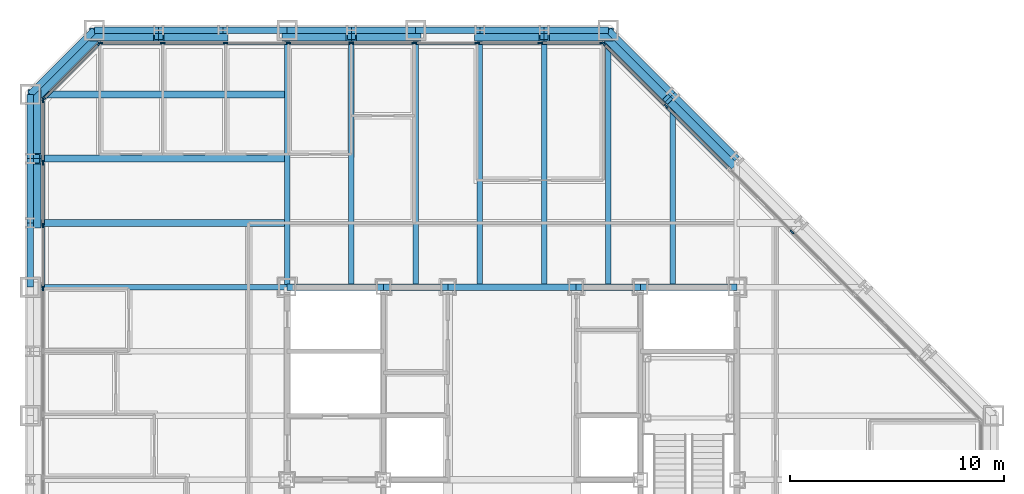
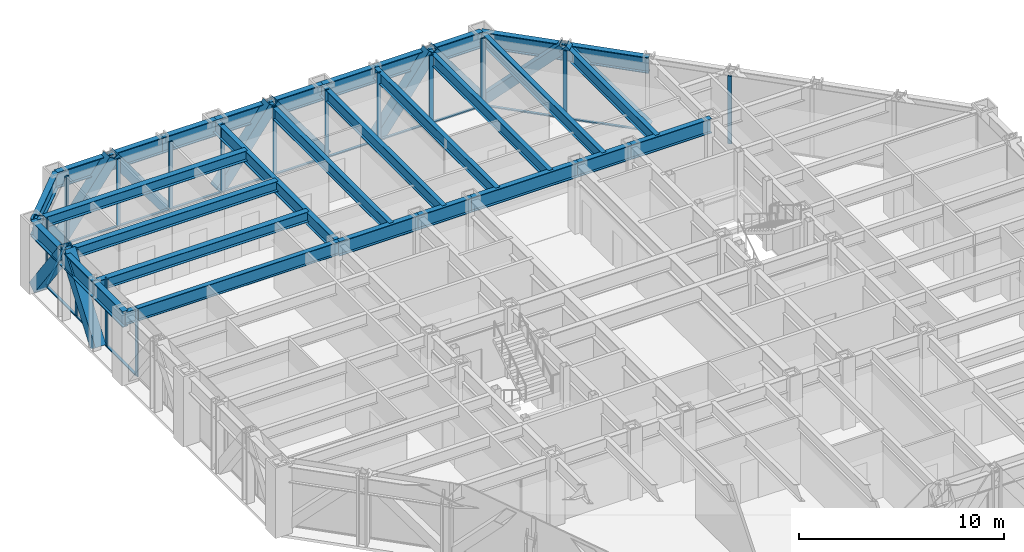
# One storey, part 7 of 16: 43 members, 30 beams, 4 elements without a shape of their own.
"""IFC4 building model written with IfcOpenShell, lengths in metres."""

from ifc_helpers import new_model, si_unit, direction, frame, origin, origin_2d, place, context, subcontext, project, spatial, rectangle, hollow_rectangle, i_section, extrude, material, layer, layer_set, material_profile, profile_set, type_object, element, aggregate, save


model = new_model("IFC4")

# Units and contexts
model_context = context("Model", 3, precision=1e-05, world=origin(), true_north=direction((0.0, 1.0)))
body_context = subcontext(model_context, "Body", "Model", "MODEL_VIEW")
ifc_project = project(units=[si_unit("LENGTHUNIT", "METRE"), si_unit("AREAUNIT", "SQUARE_METRE"), si_unit("VOLUMEUNIT", "CUBIC_METRE"), si_unit("PLANEANGLEUNIT", "RADIAN"), si_unit("MASSUNIT", "GRAM", prefix="KILO")], contexts=[model_context])

# Site, building, storey
site_placement = place(None, origin())
site = spatial("IfcSite", under=ifc_project, at=site_placement, CompositionType="ELEMENT")
building_placement = place(site_placement, origin())
building = spatial("IfcBuilding", under=site, at=building_placement, Name="Chuquiago Exchange Tower", CompositionType="ELEMENT")
storey_placement = place(building_placement, frame((0.0, 0.0, 127.800048828125)))
storey = spatial("IfcBuildingStorey", under=building, at=storey_placement, Name="L27", CompositionType="ELEMENT", Elevation=127.800048828125)

# Beams
ifc_material_1 = material(Name="Steel ASTM A992", Category="steel")
ifc_material_profile_1 = material_profile(ifc_material_1, i_section(OverallWidth=0.25390625, OverallDepth=0.683349609375, WebThickness=0.012451171875, FlangeThickness=0.018798828125, at=origin_2d()), Name="W27X94")
ifc_profile_set_1 = profile_set([ifc_material_profile_1], Name="Steel ASTM A992")
beam_type_1 = type_object("IfcBeamType", Name="B1 W27X94", PredefinedType="BEAM", material=ifc_profile_set_1)
for number, where, z_axis, x_axis, name in (
    (1, (15.0, 33.0, 3.6982421875), (0.0, 1.0, 0.0), (-1.0, 0.0, 0.0), "FB-L28-infill-15_33-15_45-0"),
    (2, (18.0, 33.0, 3.6982421875), (0.0, 1.0, 0.0), (-1.0, 0.0, 0.0), "FB-L28-infill-18_33-18_45-0"),
    (3, (21.0, 33.0, 3.6982421875), (0.0, 1.0, 0.0), (-1.0, 0.0, 0.0), "FB-L28-infill-21_33-21_45-0"),
    (4, (24.0, 33.0, 3.6982421875), (0.0, 1.0, 0.0), (-1.0, 0.0, 0.0), "FB-L28-infill-24_33-24_45-0"),
    (5, (27.0, 33.0, 3.6982421875), (0.0, 1.0, 0.0), (-1.0, 0.0, 0.0), "FB-L28-infill-27_33-27_45-0"),
):
    element("IfcBeam", number, at=place(storey_placement, frame(where, z_axis=z_axis, x_axis=x_axis)), inside=storey, type_object=beam_type_1, Name=name, PredefinedType="BEAM", context=body_context, shape_type="SweptSolid", body=[
        extrude(i_section(OverallWidth=0.25390625, OverallDepth=0.683349609375, WebThickness=0.012451171875, FlangeThickness=0.018798828125, at=origin_2d()), origin(), (0.0, 0.0, 1.0), 12.0),
    ])
beam_1_placement = place(storey_placement, frame((30.0, 33.0, 3.6982421875), z_axis=(0.0, 1.0, 0.0), x_axis=(-1.0, 0.0, 0.0)))
element("IfcBeam", 6, at=beam_1_placement, inside=storey, type_object=beam_type_1, Name="FB-L28-infill-30_33-30_42-0", PredefinedType="BEAM", context=body_context, shape_type="SweptSolid", body=[
    extrude(i_section(OverallWidth=0.25390625, OverallDepth=0.683349609375, WebThickness=0.012451171875, FlangeThickness=0.018798828125, at=origin_2d()), origin(), (0.0, 0.0, 1.0), 9.0),
])
ifc_material_2 = material(Name="Steel ASTM A992", Category="steel")
ifc_material_profile_2 = material_profile(ifc_material_2, i_section(OverallWidth=0.3251953125, OverallDepth=0.612060546875, WebThickness=0.0126953125, FlangeThickness=0.01904296875, at=origin_2d()), Name="W24X104")
ifc_profile_set_2 = profile_set([ifc_material_profile_2], Name="Steel ASTM A992")
beam_type_2 = type_object("IfcBeamType", Name="B2 W24X104", PredefinedType="BEAM", material=ifc_profile_set_2)
for number, where, z_axis, x_axis, name in (
    (7, (12.0, 36.0, 3.73388671875), (-1.0, 0.0, 0.0), (0.0, -1.0, 0.0), "FB-L28-corner-12_36--0_36-0"),
    (8, (12.0, 39.0, 3.73388671875), (-1.0, 0.0, 0.0), (0.0, -1.0, 0.0), "FB-L28-corner-12_39--0_39-0"),
    (9, (12.0, 42.0, 3.73388671875), (-1.0, 0.0, 0.0), (0.0, -1.0, 0.0), "FB-L28-corner-12_42--0_42-0"),
):
    element("IfcBeam", number, at=place(storey_placement, frame(where, z_axis=z_axis, x_axis=x_axis)), inside=storey, type_object=beam_type_2, Name=name, PredefinedType="BEAM", context=body_context, shape_type="SweptSolid", body=[
        extrude(i_section(OverallWidth=0.3251953125, OverallDepth=0.612060546875, WebThickness=0.0126953125, FlangeThickness=0.01904296875, at=origin_2d()), origin(), (0.0, 0.0, 1.0), 12.0),
    ])
ifc_material_3 = material(Name="Steel ASTM A992", Category="steel")
ifc_material_profile_3 = material_profile(ifc_material_3, i_section(OverallWidth=0.2919921875, OverallDepth=0.8583984375, WebThickness=0.01708984375, FlangeThickness=0.031005859375, at=origin_2d()), Name="W33X169")
ifc_profile_set_3 = profile_set([ifc_material_profile_3], Name="Steel ASTM A992")
beam_type_3 = type_object("IfcBeamType", Name="B3 W33X169", PredefinedType="BEAM", material=ifc_profile_set_3)
beam_2_placement = place(storey_placement, frame((12.0, 33.0, 3.610595703125), z_axis=(1.0, 0.0, 0.0), x_axis=(0.0, 1.0, 0.0)))
element("IfcBeam", 10, at=beam_2_placement, inside=storey, type_object=beam_type_3, Name="CB-L28-12_33-16.5_33", PredefinedType="BEAM", context=body_context, shape_type="SweptSolid", body=[
    extrude(i_section(OverallWidth=0.2919921875, OverallDepth=0.8583984375, WebThickness=0.01708984375, FlangeThickness=0.031005859375, at=origin_2d()), origin(), (0.0, 0.0, 1.0), 4.5),
])
beam_3_placement = place(storey_placement, frame((16.5, 33.0, 3.610595703125), z_axis=(1.0, 0.0, 0.0), x_axis=(0.0, 1.0, 0.0)))
element("IfcBeam", 11, at=beam_3_placement, inside=storey, type_object=beam_type_3, Name="CB-L28-16.5_33-19.5_33", PredefinedType="BEAM", context=body_context, shape_type="SweptSolid", body=[
    extrude(i_section(OverallWidth=0.2919921875, OverallDepth=0.8583984375, WebThickness=0.01708984375, FlangeThickness=0.031005859375, at=origin_2d()), origin(), (0.0, 0.0, 1.0), 3.0),
])
beam_4_placement = place(storey_placement, frame((19.5, 33.0, 3.610595703125), z_axis=(1.0, 0.0, 0.0), x_axis=(0.0, 1.0, 0.0)))
element("IfcBeam", 12, at=beam_4_placement, inside=storey, type_object=beam_type_3, Name="CB-L28-19.5_33-25.5_33", PredefinedType="BEAM", context=body_context, shape_type="SweptSolid", body=[
    extrude(i_section(OverallWidth=0.2919921875, OverallDepth=0.8583984375, WebThickness=0.01708984375, FlangeThickness=0.031005859375, at=origin_2d()), origin(), (0.0, 0.0, 1.0), 6.0),
])
beam_5_placement = place(storey_placement, frame((25.5, 33.0, 3.610595703125), z_axis=(1.0, 0.0, 0.0), x_axis=(0.0, 1.0, 0.0)))
element("IfcBeam", 13, at=beam_5_placement, inside=storey, type_object=beam_type_3, Name="CB-L28-25.5_33-28.5_33", PredefinedType="BEAM", context=body_context, shape_type="SweptSolid", body=[
    extrude(i_section(OverallWidth=0.2919921875, OverallDepth=0.8583984375, WebThickness=0.01708984375, FlangeThickness=0.031005859375, at=origin_2d()), origin(), (0.0, 0.0, 1.0), 3.0),
])
beam_6_placement = place(storey_placement, frame((28.5, 33.0, 3.610595703125), z_axis=(1.0, 0.0, 0.0), x_axis=(0.0, 1.0, 0.0)))
element("IfcBeam", 14, at=beam_6_placement, inside=storey, type_object=beam_type_3, Name="CB-L28-28.5_33-33_33", PredefinedType="BEAM", context=body_context, shape_type="SweptSolid", body=[
    extrude(i_section(OverallWidth=0.2919921875, OverallDepth=0.8583984375, WebThickness=0.01708984375, FlangeThickness=0.031005859375, at=origin_2d()), origin(), (0.0, 0.0, 1.0), 4.5),
])

# Curtain wall, members
ifc_material_4 = material(Name="Aluminium curtain wall system", Category="aluminium")
ifc_layer_1 = layer(ifc_material_4, 0.22509765625)
ifc_layer_set_1 = layer_set([ifc_layer_1], Name="CW2 office curtain wall")
curtain_wall_type_1 = type_object("IfcCurtainWallType", Name="CW2 office curtain wall", PredefinedType="NOTDEFINED", material=ifc_layer_set_1)
curtain_wall_1_placement = place(storey_placement, origin())
curtain_wall_1 = element("IfcCurtainWall", 15, at=curtain_wall_1_placement, inside=storey, type_object=curtain_wall_type_1, Name="CW2 curtain wall L27", PredefinedType="NOTDEFINED")
ifc_material_5 = material(Name="Aluminium mullion, pale anodised", Category="aluminium")
ifc_material_profile_4 = material_profile(ifc_material_5, rectangle(XDim=0.06494140625, YDim=0.22509765625, at=origin_2d()), Name="AL 65x225")
ifc_profile_set_4 = profile_set([ifc_material_profile_4], Name="Aluminium mullion, pale anodised")
member_type_1 = type_object("IfcMemberType", Name="CW2-M mullion 65x225", PredefinedType="MULLION", material=ifc_profile_set_4)
member_1_placement = place(storey_placement, frame((26.718994140625, 44.39990234375, 0.0), z_axis=(0.0, 0.0, 1.0), x_axis=(0.0, -1.0, 0.0)))
member_1 = element("IfcMember", 16, at=member_1_placement, type_object=member_type_1, Name="CW2 mullion 1", PredefinedType="MULLION", context=body_context, shape_type="SweptSolid", body=[
    extrude(rectangle(XDim=0.06494140625, YDim=0.22509765625, at=origin_2d()), origin(), (0.0, 0.0, 1.0), 4.0400390625),
])
member_2_placement = place(storey_placement, frame((23.813720703125, 44.39990234375, 0.0), z_axis=(0.0, 0.0, 1.0), x_axis=(0.0, -1.0, 0.0)))
member_2 = element("IfcMember", 17, at=member_2_placement, type_object=member_type_1, Name="CW2 mullion 2", PredefinedType="MULLION", context=body_context, shape_type="SweptSolid", body=[
    extrude(rectangle(XDim=0.06494140625, YDim=0.22509765625, at=origin_2d()), origin(), (0.0, 0.0, 1.0), 4.0400390625),
])
member_3_placement = place(storey_placement, frame((20.875732421875, 44.39990234375, 0.0), z_axis=(0.0, 0.0, 1.0), x_axis=(0.0, -1.0, 0.0)))
member_3 = element("IfcMember", 18, at=member_3_placement, type_object=member_type_1, Name="CW2 mullion 3", PredefinedType="MULLION", context=body_context, shape_type="SweptSolid", body=[
    extrude(rectangle(XDim=0.06494140625, YDim=0.22509765625, at=origin_2d()), origin(), (0.0, 0.0, 1.0), 4.0400390625),
])
member_4_placement = place(storey_placement, frame((17.93798828125, 44.39990234375, 0.0), z_axis=(0.0, 0.0, 1.0), x_axis=(0.0, -1.0, 0.0)))
member_4 = element("IfcMember", 19, at=member_4_placement, type_object=member_type_1, Name="CW2 mullion 4", PredefinedType="MULLION", context=body_context, shape_type="SweptSolid", body=[
    extrude(rectangle(XDim=0.06494140625, YDim=0.22509765625, at=origin_2d()), origin(), (0.0, 0.0, 1.0), 4.0400390625),
])
member_5_placement = place(storey_placement, frame((15.0, 44.39990234375, 0.0), z_axis=(0.0, 0.0, 1.0), x_axis=(0.0, -1.0, 0.0)))
member_5 = element("IfcMember", 20, at=member_5_placement, type_object=member_type_1, Name="CW2 mullion 5", PredefinedType="MULLION", context=body_context, shape_type="SweptSolid", body=[
    extrude(rectangle(XDim=0.06494140625, YDim=0.22509765625, at=origin_2d()), origin(), (0.0, 0.0, 1.0), 4.0400390625),
])
member_6_placement = place(storey_placement, frame((12.06201171875, 44.39990234375, 0.0), z_axis=(0.0, 0.0, 1.0), x_axis=(0.0, -1.0, 0.0)))
member_6 = element("IfcMember", 21, at=member_6_placement, type_object=member_type_1, Name="CW2 mullion 6", PredefinedType="MULLION", context=body_context, shape_type="SweptSolid", body=[
    extrude(rectangle(XDim=0.06494140625, YDim=0.22509765625, at=origin_2d()), origin(), (0.0, 0.0, 1.0), 4.0400390625),
])
member_7_placement = place(storey_placement, frame((9.124267578125, 44.39990234375, 0.0), z_axis=(0.0, 0.0, 1.0), x_axis=(0.0, -1.0, 0.0)))
member_7 = element("IfcMember", 22, at=member_7_placement, type_object=member_type_1, Name="CW2 mullion 7", PredefinedType="MULLION", context=body_context, shape_type="SweptSolid", body=[
    extrude(rectangle(XDim=0.06494140625, YDim=0.22509765625, at=origin_2d()), origin(), (0.0, 0.0, 1.0), 4.0400390625),
])
member_8_placement = place(storey_placement, frame((6.186279296875, 44.39990234375, 0.0), z_axis=(0.0, 0.0, 1.0), x_axis=(0.0, -1.0, 0.0)))
member_8 = element("IfcMember", 23, at=member_8_placement, type_object=member_type_1, Name="CW2 mullion 8", PredefinedType="MULLION", context=body_context, shape_type="SweptSolid", body=[
    extrude(rectangle(XDim=0.06494140625, YDim=0.22509765625, at=origin_2d()), origin(), (0.0, 0.0, 1.0), 4.0400390625),
])
member_9_placement = place(storey_placement, frame((3.281005859375, 44.39990234375, 0.0), z_axis=(0.0, 0.0, 1.0), x_axis=(0.0, -1.0, 0.0)))
member_9 = element("IfcMember", 24, at=member_9_placement, type_object=member_type_1, Name="CW2 mullion 9", PredefinedType="MULLION", context=body_context, shape_type="SweptSolid", body=[
    extrude(rectangle(XDim=0.06494140625, YDim=0.22509765625, at=origin_2d()), origin(), (0.0, 0.0, 1.0), 4.0400390625),
])

curtain_wall_2_placement = place(storey_placement, origin())
curtain_wall_2 = element("IfcCurtainWall", 25, at=curtain_wall_2_placement, inside=storey, type_object=curtain_wall_type_1, Name="CW2 curtain wall L27", PredefinedType="NOTDEFINED")
member_10_placement = place(storey_placement, frame((0.60009765625, 41.718994140625, 0.0), z_axis=(0.0, 0.0, 1.0), x_axis=(1.0, 0.0, 0.0)))
member_10 = element("IfcMember", 26, at=member_10_placement, type_object=member_type_1, Name="CW2 mullion 1", PredefinedType="MULLION", context=body_context, shape_type="SweptSolid", body=[
    extrude(rectangle(XDim=0.06494140625, YDim=0.22509765625, at=origin_2d()), origin(), (0.0, 0.0, 1.0), 4.0400390625),
])
member_11_placement = place(storey_placement, frame((0.60009765625, 38.813720703125, 0.0), z_axis=(0.0, 0.0, 1.0), x_axis=(1.0, 0.0, 0.0)))
member_11 = element("IfcMember", 27, at=member_11_placement, type_object=member_type_1, Name="CW2 mullion 2", PredefinedType="MULLION", context=body_context, shape_type="SweptSolid", body=[
    extrude(rectangle(XDim=0.06494140625, YDim=0.22509765625, at=origin_2d()), origin(), (0.0, 0.0, 1.0), 4.0400390625),
])
member_12_placement = place(storey_placement, frame((0.60009765625, 35.875732421875, 0.0), z_axis=(0.0, 0.0, 1.0), x_axis=(1.0, 0.0, 0.0)))
member_12 = element("IfcMember", 28, at=member_12_placement, type_object=member_type_1, Name="CW2 mullion 3", PredefinedType="MULLION", context=body_context, shape_type="SweptSolid", body=[
    extrude(rectangle(XDim=0.06494140625, YDim=0.22509765625, at=origin_2d()), origin(), (0.0, 0.0, 1.0), 4.0400390625),
])
member_13_placement = place(storey_placement, frame((0.60009765625, 32.93798828125, 0.0), z_axis=(0.0, 0.0, 1.0), x_axis=(1.0, 0.0, 0.0)))
member_13 = element("IfcMember", 29, at=member_13_placement, type_object=member_type_1, Name="CW2 mullion 4", PredefinedType="MULLION", context=body_context, shape_type="SweptSolid", body=[
    extrude(rectangle(XDim=0.06494140625, YDim=0.22509765625, at=origin_2d()), origin(), (0.0, 0.0, 1.0), 4.0400390625),
])

# Member
ifc_material_6 = material(Name="Aluminium transom, pale anodised", Category="aluminium")
ifc_material_profile_5 = material_profile(ifc_material_6, rectangle(XDim=0.139892578125, YDim=0.06494140625, at=origin_2d()), Name="AL 140x65")
ifc_profile_set_5 = profile_set([ifc_material_profile_5], Name="Aluminium transom, pale anodised")
member_type_2 = type_object("IfcMemberType", Name="CW2-T transom 65x140", PredefinedType="MULLION", material=ifc_profile_set_5)
member_14_placement = place(storey_placement, frame((26.6865234375, 44.39990234375, 0.032470703125), z_axis=(-1.0, 0.0, 0.0), x_axis=(0.0, -1.0, 0.0)))
member_14 = element("IfcMember", 30, at=member_14_placement, type_object=member_type_2, Name="CW2 transom 1.1", PredefinedType="MULLION", context=body_context, shape_type="SweptSolid", body=[
    extrude(rectangle(XDim=0.139892578125, YDim=0.06494140625, at=origin_2d()), origin(), (0.0, 0.0, 1.0), 2.84033203125),
])

member_15_placement = place(storey_placement, frame((23.781005859375, 44.39990234375, 0.032470703125), z_axis=(-1.0, 0.0, 0.0), x_axis=(0.0, -1.0, 0.0)))
member_15 = element("IfcMember", 31, at=member_15_placement, type_object=member_type_2, Name="CW2 transom 2.1", PredefinedType="MULLION", context=body_context, shape_type="SweptSolid", body=[
    extrude(rectangle(XDim=0.139892578125, YDim=0.06494140625, at=origin_2d()), origin(), (0.0, 0.0, 1.0), 2.872802734375),
])

member_16_placement = place(storey_placement, frame((20.84326171875, 44.39990234375, 0.032470703125), z_axis=(-1.0, 0.0, 0.0), x_axis=(0.0, -1.0, 0.0)))
member_16 = element("IfcMember", 32, at=member_16_placement, type_object=member_type_2, Name="CW2 transom 3.1", PredefinedType="MULLION", context=body_context, shape_type="SweptSolid", body=[
    extrude(rectangle(XDim=0.139892578125, YDim=0.06494140625, at=origin_2d()), origin(), (0.0, 0.0, 1.0), 2.872802734375),
])

member_17_placement = place(storey_placement, frame((17.9052734375, 44.39990234375, 0.032470703125), z_axis=(-1.0, 0.0, 0.0), x_axis=(0.0, -1.0, 0.0)))
member_17 = element("IfcMember", 33, at=member_17_placement, type_object=member_type_2, Name="CW2 transom 4.1", PredefinedType="MULLION", context=body_context, shape_type="SweptSolid", body=[
    extrude(rectangle(XDim=0.139892578125, YDim=0.06494140625, at=origin_2d()), origin(), (0.0, 0.0, 1.0), 2.872802734375),
])

member_18_placement = place(storey_placement, frame((14.967529296875, 44.39990234375, 0.032470703125), z_axis=(-1.0, 0.0, 0.0), x_axis=(0.0, -1.0, 0.0)))
member_18 = element("IfcMember", 34, at=member_18_placement, type_object=member_type_2, Name="CW2 transom 5.1", PredefinedType="MULLION", context=body_context, shape_type="SweptSolid", body=[
    extrude(rectangle(XDim=0.139892578125, YDim=0.06494140625, at=origin_2d()), origin(), (0.0, 0.0, 1.0), 2.872802734375),
])

member_19_placement = place(storey_placement, frame((12.029541015625, 44.39990234375, 0.032470703125), z_axis=(-1.0, 0.0, 0.0), x_axis=(0.0, -1.0, 0.0)))
member_19 = element("IfcMember", 35, at=member_19_placement, type_object=member_type_2, Name="CW2 transom 6.1", PredefinedType="MULLION", context=body_context, shape_type="SweptSolid", body=[
    extrude(rectangle(XDim=0.139892578125, YDim=0.06494140625, at=origin_2d()), origin(), (0.0, 0.0, 1.0), 2.872802734375),
])

member_20_placement = place(storey_placement, frame((9.091796875, 44.39990234375, 0.032470703125), z_axis=(-1.0, 0.0, 0.0), x_axis=(0.0, -1.0, 0.0)))
member_20 = element("IfcMember", 36, at=member_20_placement, type_object=member_type_2, Name="CW2 transom 7.1", PredefinedType="MULLION", context=body_context, shape_type="SweptSolid", body=[
    extrude(rectangle(XDim=0.139892578125, YDim=0.06494140625, at=origin_2d()), origin(), (0.0, 0.0, 1.0), 2.872802734375),
])

member_21_placement = place(storey_placement, frame((6.15380859375, 44.39990234375, 0.032470703125), z_axis=(-1.0, 0.0, 0.0), x_axis=(0.0, -1.0, 0.0)))
member_21 = element("IfcMember", 37, at=member_21_placement, type_object=member_type_2, Name="CW2 transom 8.1", PredefinedType="MULLION", context=body_context, shape_type="SweptSolid", body=[
    extrude(rectangle(XDim=0.139892578125, YDim=0.06494140625, at=origin_2d()), origin(), (0.0, 0.0, 1.0), 2.84033203125),
])

aggregate(curtain_wall_1, [member_1, member_2, member_3, member_4, member_5, member_6, member_7, member_8, member_9, member_14, member_15, member_16, member_17, member_18, member_19, member_20, member_21])

member_22_placement = place(storey_placement, frame((0.60009765625, 41.6865234375, 0.032470703125), z_axis=(0.0, -1.0, 0.0), x_axis=(1.0, 0.0, 0.0)))
member_22 = element("IfcMember", 38, at=member_22_placement, type_object=member_type_2, Name="CW2 transom 1.1", PredefinedType="MULLION", context=body_context, shape_type="SweptSolid", body=[
    extrude(rectangle(XDim=0.139892578125, YDim=0.06494140625, at=origin_2d()), origin(), (0.0, 0.0, 1.0), 2.84033203125),
])

member_23_placement = place(storey_placement, frame((0.60009765625, 38.781005859375, 0.032470703125), z_axis=(0.0, -1.0, 0.0), x_axis=(1.0, 0.0, 0.0)))
member_23 = element("IfcMember", 39, at=member_23_placement, type_object=member_type_2, Name="CW2 transom 2.1", PredefinedType="MULLION", context=body_context, shape_type="SweptSolid", body=[
    extrude(rectangle(XDim=0.139892578125, YDim=0.06494140625, at=origin_2d()), origin(), (0.0, 0.0, 1.0), 2.872802734375),
])

member_24_placement = place(storey_placement, frame((0.60009765625, 35.84326171875, 0.032470703125), z_axis=(0.0, -1.0, 0.0), x_axis=(1.0, 0.0, 0.0)))
member_24 = element("IfcMember", 40, at=member_24_placement, type_object=member_type_2, Name="CW2 transom 3.1", PredefinedType="MULLION", context=body_context, shape_type="SweptSolid", body=[
    extrude(rectangle(XDim=0.139892578125, YDim=0.06494140625, at=origin_2d()), origin(), (0.0, 0.0, 1.0), 2.872802734375),
])

aggregate(curtain_wall_2, [member_10, member_11, member_12, member_13, member_22, member_23, member_24])

# Curtain wall, members
ifc_material_7 = material(Name="Aluminium curtain wall system", Category="aluminium")
ifc_layer_2 = layer(ifc_material_7, 0.199951171875)
ifc_layer_set_2 = layer_set([ifc_layer_2], Name="CW3 facet curtain wall")
curtain_wall_type_2 = type_object("IfcCurtainWallType", Name="CW3 facet curtain wall", PredefinedType="NOTDEFINED", material=ifc_layer_set_2)
curtain_wall_3_placement = place(storey_placement, origin())
curtain_wall_3 = element("IfcCurtainWall", 41, at=curtain_wall_3_placement, inside=storey, type_object=curtain_wall_type_2, Name="CW3 curtain wall L27", PredefinedType="NOTDEFINED")
ifc_material_8 = material(Name="Aluminium mullion, pale anodised", Category="aluminium")
ifc_material_profile_6 = material_profile(ifc_material_8, rectangle(XDim=0.06494140625, YDim=0.199951171875, at=origin_2d()), Name="AL 65x200")
ifc_profile_set_6 = profile_set([ifc_material_profile_6], Name="Aluminium mullion, pale anodised")
member_type_3 = type_object("IfcMemberType", Name="CW3-M mullion 65x200", PredefinedType="MULLION", material=ifc_profile_set_6)
member_25_placement = place(storey_placement, frame((35.57568359375, 35.57568359375, 0.0), z_axis=(0.0, 0.0, 1.0), x_axis=(-0.707106781187, -0.707106781187, 0.0)))
member_25 = element("IfcMember", 42, at=member_25_placement, type_object=member_type_3, Name="CW3 mullion 4", PredefinedType="MULLION", context=body_context, shape_type="SweptSolid", body=[
    extrude(rectangle(XDim=0.06494140625, YDim=0.199951171875, at=origin_2d()), origin(), (0.0, 0.0, 1.0), 4.0400390625),
])
member_26_placement = place(storey_placement, frame((29.69287109375, 41.45849609375, 0.0), z_axis=(0.0, 0.0, 1.0), x_axis=(-0.707106781187, -0.707106781187, 0.0)))
member_26 = element("IfcMember", 43, at=member_26_placement, type_object=member_type_3, Name="CW3 mullion 6", PredefinedType="MULLION", context=body_context, shape_type="SweptSolid", body=[
    extrude(rectangle(XDim=0.06494140625, YDim=0.199951171875, at=origin_2d()), origin(), (0.0, 0.0, 1.0), 4.0400390625),
])
member_27_placement = place(storey_placement, frame((26.7744140625, 44.376953125, 0.0), z_axis=(0.0, 0.0, 1.0), x_axis=(-0.707106781187, -0.707106781187, 0.0)))
member_27 = element("IfcMember", 44, at=member_27_placement, type_object=member_type_3, Name="CW3 mullion 7", PredefinedType="MULLION", context=body_context, shape_type="SweptSolid", body=[
    extrude(rectangle(XDim=0.06494140625, YDim=0.199951171875, at=origin_2d()), origin(), (0.0, 0.0, 1.0), 4.0400390625),
])

curtain_wall_4_placement = place(storey_placement, origin())
curtain_wall_4 = element("IfcCurtainWall", 45, at=curtain_wall_4_placement, inside=storey, type_object=curtain_wall_type_2, Name="CW3 curtain wall L27", PredefinedType="NOTDEFINED")
member_28_placement = place(storey_placement, frame((3.2255859375, 44.376953125, 0.0), z_axis=(0.0, 0.0, 1.0), x_axis=(0.707106781187, -0.707106781187, 0.0)))
member_28 = element("IfcMember", 46, at=member_28_placement, type_object=member_type_3, Name="CW3 mullion 1", PredefinedType="MULLION", context=body_context, shape_type="SweptSolid", body=[
    extrude(rectangle(XDim=0.06494140625, YDim=0.199951171875, at=origin_2d()), origin(), (0.0, 0.0, 1.0), 4.0400390625),
])
member_29_placement = place(storey_placement, frame((0.623046875, 41.7744140625, 0.0), z_axis=(0.0, 0.0, 1.0), x_axis=(0.707106781187, -0.707106781187, 0.0)))
member_29 = element("IfcMember", 47, at=member_29_placement, type_object=member_type_3, Name="CW3 mullion 2", PredefinedType="MULLION", context=body_context, shape_type="SweptSolid", body=[
    extrude(rectangle(XDim=0.06494140625, YDim=0.199951171875, at=origin_2d()), origin(), (0.0, 0.0, 1.0), 4.0400390625),
])

# Member
ifc_material_9 = material(Name="Aluminium transom, pale anodised", Category="aluminium")
ifc_material_profile_7 = material_profile(ifc_material_9, rectangle(XDim=0.139892578125, YDim=0.06494140625, at=origin_2d()), Name="AL 140x65")
ifc_profile_set_7 = profile_set([ifc_material_profile_7], Name="Aluminium transom, pale anodised")
member_type_4 = type_object("IfcMemberType", Name="CW3-T transom 65x140", PredefinedType="MULLION", material=ifc_profile_set_7)
member_30_placement = place(storey_placement, frame((32.611328125, 38.5400390625, 0.032470703125), z_axis=(-0.707106781187, 0.707106781187, 0.0), x_axis=(-0.707106781187, -0.707106781187, 0.0)))
member_30 = element("IfcMember", 48, at=member_30_placement, type_object=member_type_4, Name="CW3 transom 5.1", PredefinedType="MULLION", context=body_context, shape_type="SweptSolid", body=[
    extrude(rectangle(XDim=0.139892578125, YDim=0.06494140625, at=origin_2d()), origin(), (0.0, 0.0, 1.0), 4.094970703125),
])

member_31_placement = place(storey_placement, frame((29.669921875, 41.4814453125, 0.032470703125), z_axis=(-0.707106781187, 0.707106781187, 0.0), x_axis=(-0.707106781187, -0.707106781187, 0.0)))
member_31 = element("IfcMember", 49, at=member_31_placement, type_object=member_type_4, Name="CW3 transom 6.1", PredefinedType="MULLION", context=body_context, shape_type="SweptSolid", body=[
    extrude(rectangle(XDim=0.139892578125, YDim=0.06494140625, at=origin_2d()), origin(), (0.0, 0.0, 1.0), 4.0625),
])

aggregate(curtain_wall_3, [member_25, member_26, member_27, member_30, member_31])

member_32_placement = place(storey_placement, frame((3.20263671875, 44.35400390625, 0.032470703125), z_axis=(-0.707106781187, -0.707106781187, 0.0), x_axis=(0.707106781187, -0.707106781187, 0.0)))
member_32 = element("IfcMember", 50, at=member_32_placement, type_object=member_type_4, Name="CW3 transom 1.1", PredefinedType="MULLION", context=body_context, shape_type="SweptSolid", body=[
    extrude(rectangle(XDim=0.139892578125, YDim=0.06494140625, at=origin_2d()), origin(), (0.0, 0.0, 1.0), 3.61572265625),
])

aggregate(curtain_wall_4, [member_28, member_29, member_32])

# Beams
ifc_material_10 = material(Name="Steel ASTM A992", Category="steel")
ifc_material_profile_8 = material_profile(ifc_material_10, i_section(OverallWidth=0.2666015625, OverallDepth=0.76953125, WebThickness=0.015625, FlangeThickness=0.025390625, at=origin_2d()), Name="W30X132")
ifc_profile_set_8 = profile_set([ifc_material_profile_8], Name="Steel ASTM A992")
beam_type_4 = type_object("IfcBeamType", Name="G1 W30X132", PredefinedType="BEAM", material=ifc_profile_set_8)
for number, where, z_axis, x_axis, name in (
    (51, (12.0, 33.0, 3.655029296875), (0.0, 1.0, 0.0), (-1.0, 0.0, 0.0), "FB-L28-girder-12_33-12_45-0"),
    (52, (12.0, 33.0, 3.655029296875), (-1.0, 0.0, 0.0), (0.0, -1.0, 0.0), "FB-L28-girder-12_33--0_33-0"),
):
    element("IfcBeam", number, at=place(storey_placement, frame(where, z_axis=z_axis, x_axis=x_axis)), inside=storey, type_object=beam_type_4, Name=name, PredefinedType="BEAM", context=body_context, shape_type="SweptSolid", body=[
        extrude(i_section(OverallWidth=0.2666015625, OverallDepth=0.76953125, WebThickness=0.015625, FlangeThickness=0.025390625, at=origin_2d()), origin(), (0.0, 0.0, 1.0), 12.0),
    ])

# Members
ifc_material_11 = material(Name="Steel ASTM A500 Grade C", Category="steel")
ifc_material_profile_9 = material_profile(ifc_material_11, hollow_rectangle(XDim=0.508056640625, YDim=0.508056640625, WallThickness=0.017822265625, at=origin_2d()), Name="HSS20X20X3/4")
ifc_profile_set_9 = profile_set([ifc_material_profile_9], Name="Steel ASTM A500 Grade C")
member_type_5 = type_object("IfcMemberType", Name="LB1 HSS20X20X3/4", PredefinedType="BRACE", material=ifc_profile_set_9)
for number, where, z_axis, x_axis, name in (
    (53, (32.822509765625, 38.822509765625, 0.0), (-0.512077265487, 0.512077265487, 0.689604051861), (-0.707106781187, -0.707106781187, 0.0), "LB-L27-33_39-30_42"),
    (54, (26.822509765625, 44.822509765625, 0.0), (0.512077265487, -0.512077265487, 0.689604051861), (0.707106781187, 0.707106781187, 0.0), "LB-L27-30_42-27_45"),
    (55, (3.177490234375, 44.822509765625, 0.0), (-0.512077265487, -0.512077265487, 0.689604051861), (0.707106781187, -0.707106781187, 0.0), "LB-L27-3_45-0_42"),
):
    element("IfcMember", number, at=place(storey_placement, frame(where, z_axis=z_axis, x_axis=x_axis)), inside=storey, type_object=member_type_5, Name=name, PredefinedType="BRACE", context=body_context, shape_type="SweptSolid", body=[
        extrude(hollow_rectangle(XDim=0.508056640625, YDim=0.508056640625, WallThickness=0.017822265625, at=origin_2d()), origin(), (0.0, 0.0, 1.0), 5.8583984375),
    ])
ifc_material_12 = material(Name="Steel ASTM A572 Grade 50", Category="steel")
ifc_material_profile_10 = material_profile(ifc_material_12, hollow_rectangle(XDim=0.60009765625, YDim=0.60009765625, WallThickness=0.06005859375, at=origin_2d()), Name="BOX600X600X60")
ifc_profile_set_10 = profile_set([ifc_material_profile_10], Name="Steel ASTM A572 Grade 50")
member_type_6 = type_object("IfcMemberType", Name="MB2 BOX600X600X60", PredefinedType="BRACE", material=ifc_profile_set_10)
for number, where, z_axis, x_axis, name in (
    (56, (27.0, 44.794921875, 0.0), (-0.596173923302, 0.0, 0.802855312728), (0.0, -1.0, 0.0), "Mega diagonal L27 N face"),
    (57, (21.0, 44.794921875, 0.0), (0.596173923302, 0.0, 0.802855312728), (0.0, 1.0, 0.0), "Mega diagonal L27 N face"),
    (58, (18.0, 44.794921875, 0.0), (-0.596173923302, 0.0, 0.802855312728), (0.0, -1.0, 0.0), "Mega diagonal L27 N face"),
    (59, (12.0, 44.794921875, 0.0), (0.596173923302, 0.0, 0.802855312728), (0.0, 1.0, 0.0), "Mega diagonal L27 N face"),
    (60, (9.0, 44.794921875, 0.0), (-0.596173923302, 0.0, 0.802855312728), (0.0, -1.0, 0.0), "Mega diagonal L27 N face"),
    (61, (3.0, 44.794921875, 0.0), (0.596173923302, 0.0, 0.802855312728), (0.0, 1.0, 0.0), "Mega diagonal L27 N face"),
    (62, (0.205078125, 42.0, 0.0), (0.0, -0.596173923302, 0.802855312728), (1.0, 0.0, 0.0), "Mega diagonal L27 W face"),
    (63, (0.205078125, 36.0, 0.0), (0.0, 0.596173923302, 0.802855312728), (-1.0, 0.0, 0.0), "Mega diagonal L27 W face"),
):
    element("IfcMember", number, at=place(storey_placement, frame(where, z_axis=z_axis, x_axis=x_axis)), inside=storey, type_object=member_type_6, Name=name, PredefinedType="BRACE", context=body_context, shape_type="SweptSolid", body=[
        extrude(hollow_rectangle(XDim=0.60009765625, YDim=0.60009765625, WallThickness=0.06005859375, at=origin_2d()), origin(), (0.0, 0.0, 1.0), 5.031982421875),
    ])

# Beams
ifc_material_13 = material(Name="Steel ASTM A992", Category="steel")
ifc_material_profile_11 = material_profile(ifc_material_13, i_section(OverallWidth=0.309814453125, OverallDepth=0.949951171875, WebThickness=0.0244140625, FlangeThickness=0.0439453125, at=origin_2d()), Name="W36X256")
ifc_profile_set_11 = profile_set([ifc_material_profile_11], Name="Steel ASTM A992")
beam_type_5 = type_object("IfcBeamType", Name="SP2 W36X256", PredefinedType="SPANDREL", material=ifc_profile_set_11)
for number, where, z_axis, x_axis, name in (
    (64, (33.0, 39.0, 3.56494140625), (-0.707106781187, 0.707106781187, 0.0), (-0.707106781187, -0.707106781187, 0.0), "SPB-L28-33_39-30_42"),
    (65, (30.0, 42.0, 3.56494140625), (-0.707106781187, 0.707106781187, 0.0), (-0.707106781187, -0.707106781187, 0.0), "SPB-L28-30_42-27_45"),
):
    element("IfcBeam", number, at=place(storey_placement, frame(where, z_axis=z_axis, x_axis=x_axis)), inside=storey, type_object=beam_type_5, Name=name, PredefinedType="SPANDREL", context=body_context, shape_type="SweptSolid", body=[
        extrude(i_section(OverallWidth=0.309814453125, OverallDepth=0.949951171875, WebThickness=0.0244140625, FlangeThickness=0.0439453125, at=origin_2d()), origin(), (0.0, 0.0, 1.0), 4.24267578125),
    ])
for number, where, z_axis, x_axis, name in (
    (66, (27.0, 45.0, 3.56494140625), (-1.0, 0.0, 0.0), (0.0, -1.0, 0.0), "SPB-L28-27_45-24_45"),
    (67, (24.0, 45.0, 3.56494140625), (-1.0, 0.0, 0.0), (0.0, -1.0, 0.0), "SPB-L28-24_45-21_45"),
    (68, (21.0, 45.0, 3.56494140625), (-1.0, 0.0, 0.0), (0.0, -1.0, 0.0), "SPB-L28-21_45-18_45"),
    (69, (18.0, 45.0, 3.56494140625), (-1.0, 0.0, 0.0), (0.0, -1.0, 0.0), "SPB-L28-18_45-15_45"),
    (70, (15.0, 45.0, 3.56494140625), (-1.0, 0.0, 0.0), (0.0, -1.0, 0.0), "SPB-L28-15_45-12_45"),
    (71, (12.0, 45.0, 3.56494140625), (-1.0, 0.0, 0.0), (0.0, -1.0, 0.0), "SPB-L28-12_45-9_45"),
    (72, (9.0, 45.0, 3.56494140625), (-1.0, 0.0, 0.0), (0.0, -1.0, 0.0), "SPB-L28-9_45-6_45"),
    (73, (6.0, 45.0, 3.56494140625), (-1.0, 0.0, 0.0), (0.0, -1.0, 0.0), "SPB-L28-6_45-3_45"),
):
    element("IfcBeam", number, at=place(storey_placement, frame(where, z_axis=z_axis, x_axis=x_axis)), inside=storey, type_object=beam_type_5, Name=name, PredefinedType="SPANDREL", context=body_context, shape_type="SweptSolid", body=[
        extrude(i_section(OverallWidth=0.309814453125, OverallDepth=0.949951171875, WebThickness=0.0244140625, FlangeThickness=0.0439453125, at=origin_2d()), origin(), (0.0, 0.0, 1.0), 3.0),
    ])
beam_7_placement = place(storey_placement, frame((3.0, 45.0, 3.56494140625), z_axis=(-0.707106781187, -0.707106781187, 0.0), x_axis=(0.707106781187, -0.707106781187, 0.0)))
element("IfcBeam", 74, at=beam_7_placement, inside=storey, type_object=beam_type_5, Name="SPB-L28-3_45-0_42", PredefinedType="SPANDREL", context=body_context, shape_type="SweptSolid", body=[
    extrude(i_section(OverallWidth=0.309814453125, OverallDepth=0.949951171875, WebThickness=0.0244140625, FlangeThickness=0.0439453125, at=origin_2d()), origin(), (0.0, 0.0, 1.0), 4.24267578125),
])
for number, where, z_axis, x_axis, name in (
    (75, (0.0, 42.0, 3.56494140625), (0.0, -1.0, 0.0), (1.0, 0.0, 0.0), "SPB-L28-0_42-0_39"),
    (76, (0.0, 39.0, 3.56494140625), (0.0, -1.0, 0.0), (1.0, 0.0, 0.0), "SPB-L28-0_39-0_36"),
    (77, (0.0, 36.0, 3.56494140625), (0.0, -1.0, 0.0), (1.0, 0.0, 0.0), "SPB-L28-0_36-0_33"),
):
    element("IfcBeam", number, at=place(storey_placement, frame(where, z_axis=z_axis, x_axis=x_axis)), inside=storey, type_object=beam_type_5, Name=name, PredefinedType="SPANDREL", context=body_context, shape_type="SweptSolid", body=[
        extrude(i_section(OverallWidth=0.309814453125, OverallDepth=0.949951171875, WebThickness=0.0244140625, FlangeThickness=0.0439453125, at=origin_2d()), origin(), (0.0, 0.0, 1.0), 3.0),
    ])

save(model, "model.ifc")
